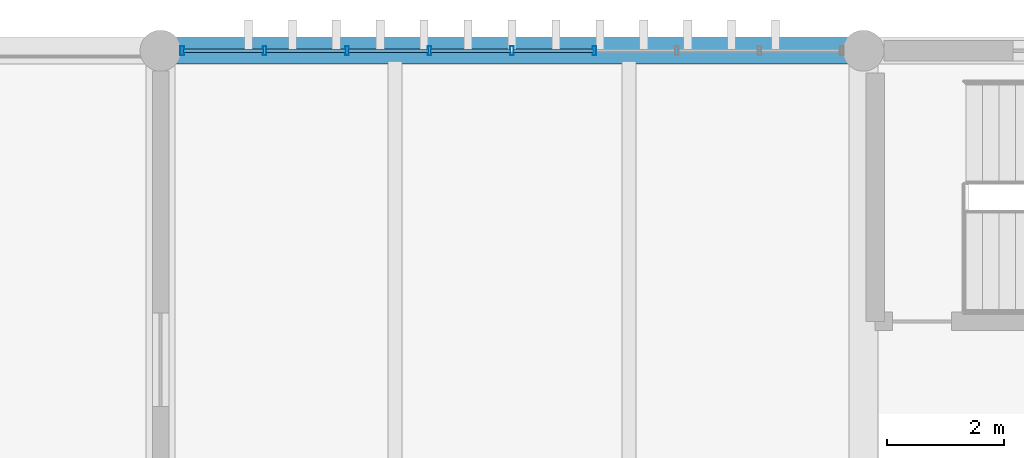
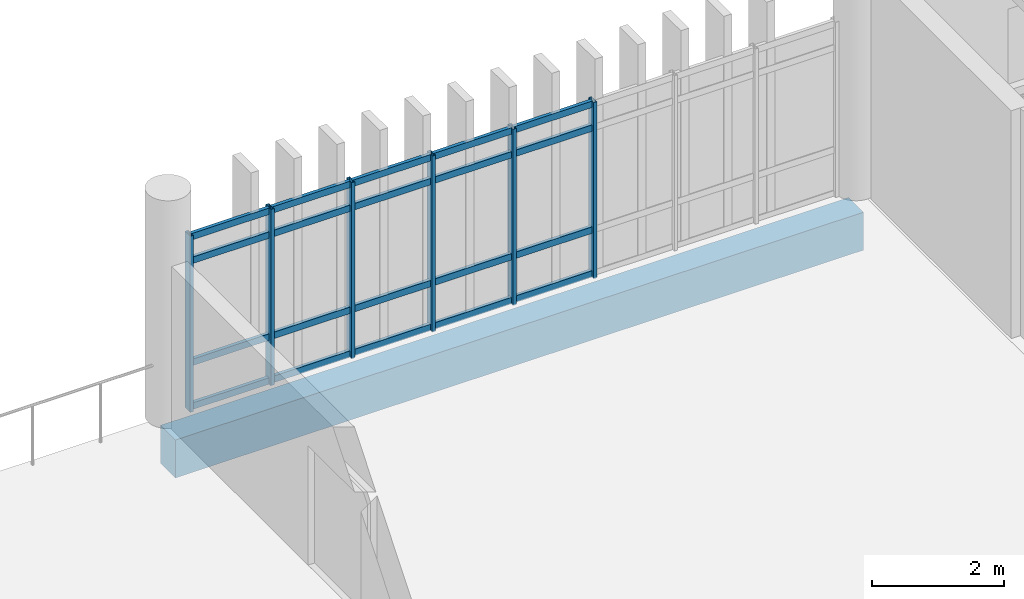
# One storey, part 15 of 82: 26 members, 1 beam, 1 element without a shape of its own.
"""IFC4 building model written with IfcOpenShell, lengths in metres."""

from ifc_helpers import new_model, si_unit, direction, frame, origin, origin_2d, place, context, subcontext, project, spatial, rectangle, hollow_rectangle, extrude, material, layer, layer_set, material_profile, profile_set, type_object, element, aggregate, save


model = new_model("IFC4")

# Units and contexts
model_context = context("Model", 3, precision=1e-05, world=origin(), true_north=direction((0.0, 1.0)))
body_context = subcontext(model_context, "Body", "Model", "MODEL_VIEW")
ifc_project = project(units=[si_unit("LENGTHUNIT", "METRE"), si_unit("AREAUNIT", "SQUARE_METRE"), si_unit("VOLUMEUNIT", "CUBIC_METRE"), si_unit("PLANEANGLEUNIT", "RADIAN"), si_unit("MASSUNIT", "GRAM", prefix="KILO")], contexts=[model_context])

# Site, building, storey
site_placement = place(None, origin())
site = spatial("IfcSite", under=ifc_project, at=site_placement, CompositionType="ELEMENT")
building_placement = place(site_placement, origin())
building = spatial("IfcBuilding", under=site, at=building_placement, Name="Mersad Railyard Sports Hall", CompositionType="ELEMENT")
storey_placement = place(building_placement, frame((0.0, 0.0, 13.199951171875)))
storey = spatial("IfcBuildingStorey", under=building, at=storey_placement, Name="L03", CompositionType="ELEMENT", Elevation=13.199951171875)

# Curtain wall, members
ifc_material_1 = material(Name="Aluminium 6063-T6", Category="aluminium")
ifc_layer = layer(ifc_material_1, 0.159912109375)
ifc_layer_set = layer_set([ifc_layer], Name="Aluminium 6063-T6")
curtain_wall_type = type_object("IfcCurtainWallType", Name="ARC-CW-CW57", PredefinedType="USERDEFINED", material=ifc_layer_set)
curtain_wall_placement = place(storey_placement, origin())
curtain_wall = element("IfcCurtainWall", 1, at=curtain_wall_placement, inside=storey, type_object=curtain_wall_type, Name="Curtain wall CW57-0151", ObjectType="CURTAIN WALL", PredefinedType="USERDEFINED")
ifc_material_profile_1 = material_profile(ifc_material_1, hollow_rectangle(XDim=0.06005859375, YDim=0.159912109375, WallThickness=0.00390625, at=origin_2d()), Name="AL MULLION 60x160x4")
ifc_profile_set_1 = profile_set([ifc_material_profile_1], Name="Aluminium 6063-T6")
member_type_1 = type_object("IfcMemberType", Name="ARC-CW-MUL01", PredefinedType="MULLION", material=ifc_profile_set_1)
member_1_placement = place(storey_placement, frame((55.3701171875, 115.0, -0.02001953125), z_axis=(0.0, 0.0, 1.0), x_axis=(1.0, 0.0, 0.0)))
member_1 = element("IfcMember", 2, at=member_1_placement, type_object=member_type_1, Name="CW57 Mullion 1", PredefinedType="MULLION", context=body_context, shape_type="SweptSolid", body=[
    extrude(hollow_rectangle(XDim=0.06005859375, YDim=0.159912109375, WallThickness=0.00390625, at=origin_2d()), origin(), (0.0, 0.0, 1.0), 3.25),
])
member_2_placement = place(storey_placement, frame((56.777587890625, 115.0, -0.02001953125), z_axis=(0.0, 0.0, 1.0), x_axis=(1.0, 0.0, 0.0)))
member_2 = element("IfcMember", 3, at=member_2_placement, type_object=member_type_1, Name="CW57 Mullion 2", PredefinedType="MULLION", context=body_context, shape_type="SweptSolid", body=[
    extrude(hollow_rectangle(XDim=0.06005859375, YDim=0.159912109375, WallThickness=0.00390625, at=origin_2d()), origin(), (0.0, 0.0, 1.0), 3.25),
])
member_3_placement = place(storey_placement, frame((58.18505859375, 115.0, -0.02001953125), z_axis=(0.0, 0.0, 1.0), x_axis=(1.0, 0.0, 0.0)))
member_3 = element("IfcMember", 4, at=member_3_placement, type_object=member_type_1, Name="CW57 Mullion 3", PredefinedType="MULLION", context=body_context, shape_type="SweptSolid", body=[
    extrude(hollow_rectangle(XDim=0.06005859375, YDim=0.159912109375, WallThickness=0.00390625, at=origin_2d()), origin(), (0.0, 0.0, 1.0), 3.25),
])
member_4_placement = place(storey_placement, frame((59.592529296875, 115.0, -0.02001953125), z_axis=(0.0, 0.0, 1.0), x_axis=(1.0, 0.0, 0.0)))
member_4 = element("IfcMember", 5, at=member_4_placement, type_object=member_type_1, Name="CW57 Mullion 4", PredefinedType="MULLION", context=body_context, shape_type="SweptSolid", body=[
    extrude(hollow_rectangle(XDim=0.06005859375, YDim=0.159912109375, WallThickness=0.00390625, at=origin_2d()), origin(), (0.0, 0.0, 1.0), 3.25),
])
member_5_placement = place(storey_placement, frame((61.0, 115.0, -0.02001953125), z_axis=(0.0, 0.0, 1.0), x_axis=(1.0, 0.0, 0.0)))
member_5 = element("IfcMember", 6, at=member_5_placement, type_object=member_type_1, Name="CW57 Mullion 5", PredefinedType="MULLION", context=body_context, shape_type="SweptSolid", body=[
    extrude(hollow_rectangle(XDim=0.06005859375, YDim=0.159912109375, WallThickness=0.00390625, at=origin_2d()), origin(), (0.0, 0.0, 1.0), 3.25),
])
member_6_placement = place(storey_placement, frame((62.407470703125, 115.0, -0.02001953125), z_axis=(0.0, 0.0, 1.0), x_axis=(1.0, 0.0, 0.0)))
member_6 = element("IfcMember", 7, at=member_6_placement, type_object=member_type_1, Name="CW57 Mullion 6", PredefinedType="MULLION", context=body_context, shape_type="SweptSolid", body=[
    extrude(hollow_rectangle(XDim=0.06005859375, YDim=0.159912109375, WallThickness=0.00390625, at=origin_2d()), origin(), (0.0, 0.0, 1.0), 3.25),
])
ifc_material_profile_2 = material_profile(ifc_material_1, hollow_rectangle(XDim=0.06005859375, YDim=0.1201171875, WallThickness=0.00390625, at=origin_2d()), Name="AL TRANSOM 60x120x4")
ifc_profile_set_2 = profile_set([ifc_material_profile_2], Name="Aluminium 6063-T6")
member_type_2 = type_object("IfcMemberType", Name="ARC-CW-TRN01", PredefinedType="USERDEFINED", material=ifc_profile_set_2)
member_7_placement = place(storey_placement, frame((55.389892578125, 115.0, 0.0400390625), z_axis=(1.0, 0.0, 0.0), x_axis=(0.0, 1.0, 0.0)))
member_7 = element("IfcMember", 8, at=member_7_placement, type_object=member_type_2, Name="CW57 Transom 1-1", ObjectType="TRANSOM", PredefinedType="USERDEFINED", context=body_context, shape_type="SweptSolid", body=[
    extrude(hollow_rectangle(XDim=0.06005859375, YDim=0.1201171875, WallThickness=0.00390625, at=origin_2d()), origin(), (0.0, 0.0, 1.0), 1.36767578125),
])
member_8_placement = place(storey_placement, frame((56.797607421875, 115.0, 0.0400390625), z_axis=(1.0, 0.0, 0.0), x_axis=(0.0, 1.0, 0.0)))
member_8 = element("IfcMember", 9, at=member_8_placement, type_object=member_type_2, Name="CW57 Transom 1-2", ObjectType="TRANSOM", PredefinedType="USERDEFINED", context=body_context, shape_type="SweptSolid", body=[
    extrude(hollow_rectangle(XDim=0.06005859375, YDim=0.1201171875, WallThickness=0.00390625, at=origin_2d()), origin(), (0.0, 0.0, 1.0), 1.367431640625),
])
member_9_placement = place(storey_placement, frame((58.205078125, 115.0, 0.0400390625), z_axis=(1.0, 0.0, 0.0), x_axis=(0.0, 1.0, 0.0)))
member_9 = element("IfcMember", 10, at=member_9_placement, type_object=member_type_2, Name="CW57 Transom 1-3", ObjectType="TRANSOM", PredefinedType="USERDEFINED", context=body_context, shape_type="SweptSolid", body=[
    extrude(hollow_rectangle(XDim=0.06005859375, YDim=0.1201171875, WallThickness=0.00390625, at=origin_2d()), origin(), (0.0, 0.0, 1.0), 1.367431640625),
])
member_10_placement = place(storey_placement, frame((59.612548828125, 115.0, 0.0400390625), z_axis=(1.0, 0.0, 0.0), x_axis=(0.0, 1.0, 0.0)))
member_10 = element("IfcMember", 11, at=member_10_placement, type_object=member_type_2, Name="CW57 Transom 1-4", ObjectType="TRANSOM", PredefinedType="USERDEFINED", context=body_context, shape_type="SweptSolid", body=[
    extrude(hollow_rectangle(XDim=0.06005859375, YDim=0.1201171875, WallThickness=0.00390625, at=origin_2d()), origin(), (0.0, 0.0, 1.0), 1.367431640625),
])
member_11_placement = place(storey_placement, frame((61.02001953125, 115.0, 0.0400390625), z_axis=(1.0, 0.0, 0.0), x_axis=(0.0, 1.0, 0.0)))
member_11 = element("IfcMember", 12, at=member_11_placement, type_object=member_type_2, Name="CW57 Transom 1-5", ObjectType="TRANSOM", PredefinedType="USERDEFINED", context=body_context, shape_type="SweptSolid", body=[
    extrude(hollow_rectangle(XDim=0.06005859375, YDim=0.1201171875, WallThickness=0.00390625, at=origin_2d()), origin(), (0.0, 0.0, 1.0), 1.367431640625),
])
member_12_placement = place(storey_placement, frame((55.389892578125, 115.0, 0.85009765625), z_axis=(1.0, 0.0, 0.0), x_axis=(0.0, 1.0, 0.0)))
member_12 = element("IfcMember", 13, at=member_12_placement, type_object=member_type_2, Name="CW57 Transom 2-1", ObjectType="TRANSOM", PredefinedType="USERDEFINED", context=body_context, shape_type="SweptSolid", body=[
    extrude(hollow_rectangle(XDim=0.06005859375, YDim=0.1201171875, WallThickness=0.00390625, at=origin_2d()), origin(), (0.0, 0.0, 1.0), 1.36767578125),
])
member_13_placement = place(storey_placement, frame((56.797607421875, 115.0, 0.85009765625), z_axis=(1.0, 0.0, 0.0), x_axis=(0.0, 1.0, 0.0)))
member_13 = element("IfcMember", 14, at=member_13_placement, type_object=member_type_2, Name="CW57 Transom 2-2", ObjectType="TRANSOM", PredefinedType="USERDEFINED", context=body_context, shape_type="SweptSolid", body=[
    extrude(hollow_rectangle(XDim=0.06005859375, YDim=0.1201171875, WallThickness=0.00390625, at=origin_2d()), origin(), (0.0, 0.0, 1.0), 1.367431640625),
])
member_14_placement = place(storey_placement, frame((58.205078125, 115.0, 0.85009765625), z_axis=(1.0, 0.0, 0.0), x_axis=(0.0, 1.0, 0.0)))
member_14 = element("IfcMember", 15, at=member_14_placement, type_object=member_type_2, Name="CW57 Transom 2-3", ObjectType="TRANSOM", PredefinedType="USERDEFINED", context=body_context, shape_type="SweptSolid", body=[
    extrude(hollow_rectangle(XDim=0.06005859375, YDim=0.1201171875, WallThickness=0.00390625, at=origin_2d()), origin(), (0.0, 0.0, 1.0), 1.367431640625),
])
member_15_placement = place(storey_placement, frame((59.612548828125, 115.0, 0.85009765625), z_axis=(1.0, 0.0, 0.0), x_axis=(0.0, 1.0, 0.0)))
member_15 = element("IfcMember", 16, at=member_15_placement, type_object=member_type_2, Name="CW57 Transom 2-4", ObjectType="TRANSOM", PredefinedType="USERDEFINED", context=body_context, shape_type="SweptSolid", body=[
    extrude(hollow_rectangle(XDim=0.06005859375, YDim=0.1201171875, WallThickness=0.00390625, at=origin_2d()), origin(), (0.0, 0.0, 1.0), 1.367431640625),
])
member_16_placement = place(storey_placement, frame((61.02001953125, 115.0, 0.85009765625), z_axis=(1.0, 0.0, 0.0), x_axis=(0.0, 1.0, 0.0)))
member_16 = element("IfcMember", 17, at=member_16_placement, type_object=member_type_2, Name="CW57 Transom 2-5", ObjectType="TRANSOM", PredefinedType="USERDEFINED", context=body_context, shape_type="SweptSolid", body=[
    extrude(hollow_rectangle(XDim=0.06005859375, YDim=0.1201171875, WallThickness=0.00390625, at=origin_2d()), origin(), (0.0, 0.0, 1.0), 1.367431640625),
])
member_17_placement = place(storey_placement, frame((55.389892578125, 115.0, 2.72998046875), z_axis=(1.0, 0.0, 0.0), x_axis=(0.0, 1.0, 0.0)))
member_17 = element("IfcMember", 18, at=member_17_placement, type_object=member_type_2, Name="CW57 Transom 3-1", ObjectType="TRANSOM", PredefinedType="USERDEFINED", context=body_context, shape_type="SweptSolid", body=[
    extrude(hollow_rectangle(XDim=0.06005859375, YDim=0.1201171875, WallThickness=0.00390625, at=origin_2d()), origin(), (0.0, 0.0, 1.0), 1.36767578125),
])
member_18_placement = place(storey_placement, frame((56.797607421875, 115.0, 2.72998046875), z_axis=(1.0, 0.0, 0.0), x_axis=(0.0, 1.0, 0.0)))
member_18 = element("IfcMember", 19, at=member_18_placement, type_object=member_type_2, Name="CW57 Transom 3-2", ObjectType="TRANSOM", PredefinedType="USERDEFINED", context=body_context, shape_type="SweptSolid", body=[
    extrude(hollow_rectangle(XDim=0.06005859375, YDim=0.1201171875, WallThickness=0.00390625, at=origin_2d()), origin(), (0.0, 0.0, 1.0), 1.367431640625),
])
member_19_placement = place(storey_placement, frame((58.205078125, 115.0, 2.72998046875), z_axis=(1.0, 0.0, 0.0), x_axis=(0.0, 1.0, 0.0)))
member_19 = element("IfcMember", 20, at=member_19_placement, type_object=member_type_2, Name="CW57 Transom 3-3", ObjectType="TRANSOM", PredefinedType="USERDEFINED", context=body_context, shape_type="SweptSolid", body=[
    extrude(hollow_rectangle(XDim=0.06005859375, YDim=0.1201171875, WallThickness=0.00390625, at=origin_2d()), origin(), (0.0, 0.0, 1.0), 1.367431640625),
])
member_20_placement = place(storey_placement, frame((59.612548828125, 115.0, 2.72998046875), z_axis=(1.0, 0.0, 0.0), x_axis=(0.0, 1.0, 0.0)))
member_20 = element("IfcMember", 21, at=member_20_placement, type_object=member_type_2, Name="CW57 Transom 3-4", ObjectType="TRANSOM", PredefinedType="USERDEFINED", context=body_context, shape_type="SweptSolid", body=[
    extrude(hollow_rectangle(XDim=0.06005859375, YDim=0.1201171875, WallThickness=0.00390625, at=origin_2d()), origin(), (0.0, 0.0, 1.0), 1.367431640625),
])
member_21_placement = place(storey_placement, frame((61.02001953125, 115.0, 2.72998046875), z_axis=(1.0, 0.0, 0.0), x_axis=(0.0, 1.0, 0.0)))
member_21 = element("IfcMember", 22, at=member_21_placement, type_object=member_type_2, Name="CW57 Transom 3-5", ObjectType="TRANSOM", PredefinedType="USERDEFINED", context=body_context, shape_type="SweptSolid", body=[
    extrude(hollow_rectangle(XDim=0.06005859375, YDim=0.1201171875, WallThickness=0.00390625, at=origin_2d()), origin(), (0.0, 0.0, 1.0), 1.367431640625),
])
member_22_placement = place(storey_placement, frame((55.389892578125, 115.0, 3.170166015625), z_axis=(1.0, 0.0, 0.0), x_axis=(0.0, 1.0, 0.0)))
member_22 = element("IfcMember", 23, at=member_22_placement, type_object=member_type_2, Name="CW57 Transom 4-1", ObjectType="TRANSOM", PredefinedType="USERDEFINED", context=body_context, shape_type="SweptSolid", body=[
    extrude(hollow_rectangle(XDim=0.06005859375, YDim=0.1201171875, WallThickness=0.00390625, at=origin_2d()), origin(), (0.0, 0.0, 1.0), 1.36767578125),
])
member_23_placement = place(storey_placement, frame((56.797607421875, 115.0, 3.170166015625), z_axis=(1.0, 0.0, 0.0), x_axis=(0.0, 1.0, 0.0)))
member_23 = element("IfcMember", 24, at=member_23_placement, type_object=member_type_2, Name="CW57 Transom 4-2", ObjectType="TRANSOM", PredefinedType="USERDEFINED", context=body_context, shape_type="SweptSolid", body=[
    extrude(hollow_rectangle(XDim=0.06005859375, YDim=0.1201171875, WallThickness=0.00390625, at=origin_2d()), origin(), (0.0, 0.0, 1.0), 1.367431640625),
])
member_24_placement = place(storey_placement, frame((58.205078125, 115.0, 3.170166015625), z_axis=(1.0, 0.0, 0.0), x_axis=(0.0, 1.0, 0.0)))
member_24 = element("IfcMember", 25, at=member_24_placement, type_object=member_type_2, Name="CW57 Transom 4-3", ObjectType="TRANSOM", PredefinedType="USERDEFINED", context=body_context, shape_type="SweptSolid", body=[
    extrude(hollow_rectangle(XDim=0.06005859375, YDim=0.1201171875, WallThickness=0.00390625, at=origin_2d()), origin(), (0.0, 0.0, 1.0), 1.367431640625),
])
member_25_placement = place(storey_placement, frame((59.612548828125, 115.0, 3.170166015625), z_axis=(1.0, 0.0, 0.0), x_axis=(0.0, 1.0, 0.0)))
member_25 = element("IfcMember", 26, at=member_25_placement, type_object=member_type_2, Name="CW57 Transom 4-4", ObjectType="TRANSOM", PredefinedType="USERDEFINED", context=body_context, shape_type="SweptSolid", body=[
    extrude(hollow_rectangle(XDim=0.06005859375, YDim=0.1201171875, WallThickness=0.00390625, at=origin_2d()), origin(), (0.0, 0.0, 1.0), 1.367431640625),
])
member_26_placement = place(storey_placement, frame((61.02001953125, 115.0, 3.170166015625), z_axis=(1.0, 0.0, 0.0), x_axis=(0.0, 1.0, 0.0)))
member_26 = element("IfcMember", 27, at=member_26_placement, type_object=member_type_2, Name="CW57 Transom 4-5", ObjectType="TRANSOM", PredefinedType="USERDEFINED", context=body_context, shape_type="SweptSolid", body=[
    extrude(hollow_rectangle(XDim=0.06005859375, YDim=0.1201171875, WallThickness=0.00390625, at=origin_2d()), origin(), (0.0, 0.0, 1.0), 1.367431640625),
])
aggregate(curtain_wall, [member_1, member_2, member_3, member_4, member_5, member_6, member_7, member_8, member_9, member_10, member_11, member_12, member_13, member_14, member_15, member_16, member_17, member_18, member_19, member_20, member_21, member_22, member_23, member_24, member_25, member_26])

# Beam
ifc_material_2 = material(Name="Architectural concrete C40/50", Category="concrete")
ifc_material_profile_3 = material_profile(ifc_material_2, rectangle(XDim=0.449951171875, YDim=0.699951171875, at=origin_2d()), Name="RC 450x700")
ifc_profile_set_3 = profile_set([ifc_material_profile_3], Name="Architectural concrete C40/50")
beam_type = type_object("IfcBeamType", Name="STR-BM-SP01", PredefinedType="SPANDREL", material=ifc_profile_set_3)
beam_placement = place(storey_placement, frame((55.0, 115.0, -0.669921875), z_axis=(1.0, 0.0, 0.0), x_axis=(0.0, 1.0, 0.0)))
element("IfcBeam", 28, at=beam_placement, inside=storey, type_object=beam_type, Name="Beam SP01-1237", PredefinedType="SPANDREL", context=body_context, shape_type="SweptSolid", body=[
    extrude(rectangle(XDim=0.449951171875, YDim=0.699951171875, at=origin_2d()), origin(), (0.0, 0.0, 1.0), 12.0),
])

save(model, "model.ifc")
